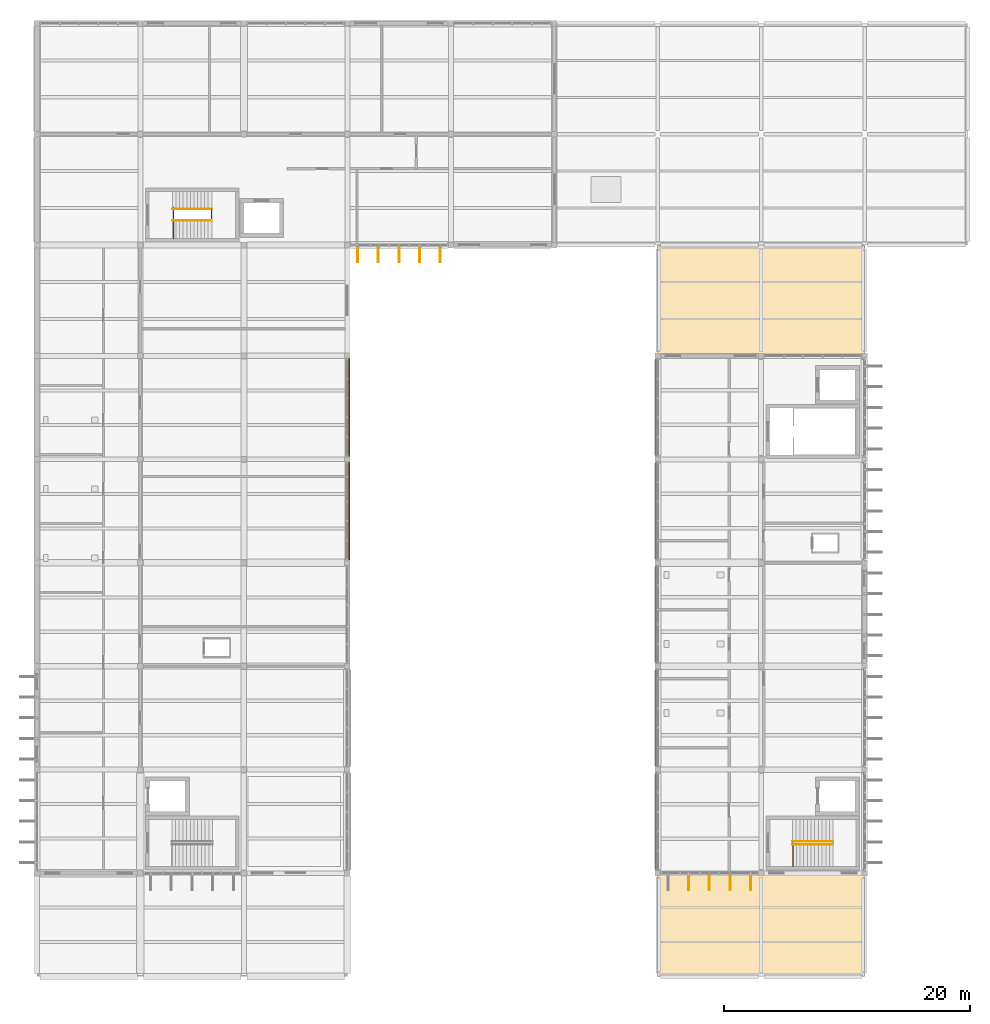
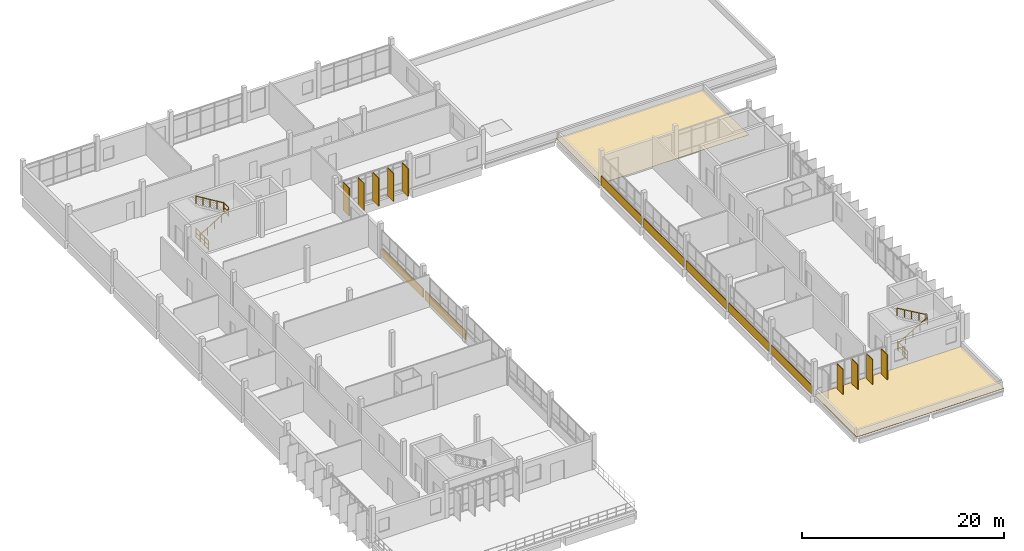
# One storey, part 59 of 62: 9 coverings, 9 shading devices, 7 railings.
"""IFC4 building model written with IfcOpenShell, lengths in metres."""

import ifcopenshell
import ifcopenshell.guid

model = None  # the IFC model being written
_history = None  # IfcOwnerHistory: only IFC2X3 demands one
_inside = {}  # id of a spatial element -> (the spatial element, [elements in it])
_under = {}  # id of a project, library or spatial element -> (it, [spatial elements below it])
_declared = {}  # id of a project -> (the project, [libraries it declares])
_typed = {}  # id of a type object -> (the type object, [elements of that type])
_made_of = {}  # id of a material, layer set ... -> (it, [elements and type objects made of it])


def new_model(schema):
    """Start an empty IFC model of exactly this schema.

    Asked for "IFC4X3", IfcOpenShell would pick the latest addendum, in which some entities
    have other attributes; the version numbers below select the first issue.
    IFC2X3 requires an IfcOwnerHistory on every rooted entity: one is made here for all.
    """
    global model, _history
    if schema == "IFC4X3":
        model = ifcopenshell.file(schema_version=(4, 3, 0, 0))
    else:
        model = ifcopenshell.file(schema=schema)
    _inside.clear()
    _under.clear()
    _declared.clear()
    _typed.clear()
    _made_of.clear()
    _history = None
    if model.schema == "IFC2X3":
        org = make("IfcOrganization", Name="unknown")
        user = make(
            "IfcPersonAndOrganization",
            ThePerson=make("IfcPerson", FamilyName="unknown"),
            TheOrganization=org,
        )
        app = make(
            "IfcApplication",
            ApplicationDeveloper=org,
            Version="unknown",
            ApplicationFullName="unknown",
            ApplicationIdentifier="unknown",
        )
        _history = make(
            "IfcOwnerHistory",
            OwningUser=user,
            OwningApplication=app,
            ChangeAction="ADDED",
            CreationDate=0,
        )
    return model


def make(cls, **values):
    """One entity of the class cls with the attributes given. An attribute that is None is left unset."""
    return model.create_entity(
        cls, **{name: value for name, value in values.items() if value is not None}
    )


def rooted(cls, **values):
    """An entity with a GlobalId (a new one), such as an element, a storey or a relation."""
    return make(cls, GlobalId=ifcopenshell.guid.new(), OwnerHistory=_history, **values)


def si_unit(unit_type, name, prefix=None):
    """IfcSIUnit, for example si_unit("LENGTHUNIT", "METRE", prefix="MILLI")."""
    return make("IfcSIUnit", UnitType=unit_type, Prefix=prefix, Name=name)


def assignment(units):
    """IfcUnitAssignment: the units of a project."""
    return None if units is None else make("IfcUnitAssignment", Units=units)


def point(xyz):
    """IfcCartesianPoint."""
    return None if xyz is None else make("IfcCartesianPoint", Coordinates=xyz)


def direction(xyz):
    """IfcDirection."""
    return None if xyz is None else make("IfcDirection", DirectionRatios=xyz)


def frame(location, z_axis=None, x_axis=None):
    """IfcAxis2Placement3D, a coordinate frame: its origin and axes. An axis left out is left unset."""
    return make(
        "IfcAxis2Placement3D",
        Location=point(location),
        Axis=direction(z_axis),
        RefDirection=direction(x_axis),
    )


def frame_2d(location, x_axis=None):
    """IfcAxis2Placement2D, a coordinate frame in the plane: its origin and x axis."""
    return make(
        "IfcAxis2Placement2D", Location=point(location), RefDirection=direction(x_axis)
    )


def origin():
    """The frame at (0, 0, 0) with its axes left unset."""
    return frame((0.0, 0.0, 0.0))


def origin_2d():
    """The frame at (0, 0) in the plane with its x axis left unset."""
    return frame_2d((0.0, 0.0))


def place(relative_to, where):
    """IfcLocalPlacement: puts the frame where relative to a parent placement (None: the world)."""
    return make(
        "IfcLocalPlacement", PlacementRelTo=relative_to, RelativePlacement=where
    )


def context(
    kind, dimensions, precision=None, world=None, true_north=None, identifier=None
):
    """IfcGeometricRepresentationContext, for example the 3D "Model" context."""
    return make(
        "IfcGeometricRepresentationContext",
        ContextIdentifier=identifier,
        ContextType=kind,
        CoordinateSpaceDimension=dimensions,
        Precision=precision,
        WorldCoordinateSystem=world,
        TrueNorth=true_north,
    )


def subcontext(parent, identifier, kind, view, scale=None):
    """IfcGeometricRepresentationSubContext, for example "Body" below "Model"."""
    return make(
        "IfcGeometricRepresentationSubContext",
        ContextIdentifier=identifier,
        ContextType=kind,
        ParentContext=parent,
        TargetScale=scale,
        TargetView=view,
    )


def project(units=None, contexts=None):
    """IfcProject with its units and contexts."""
    return rooted(
        "IfcProject",
        Name="project",
        RepresentationContexts=contexts,
        UnitsInContext=assignment(units),
    )


def spatial(cls, under=None, at=None, **own):
    """A site, building, storey or space (cls), placed at a placement, below another one or the project."""
    s = rooted(cls, ObjectPlacement=at, **own)
    if under is not None:
        _under.setdefault(under.id(), (under, []))[1].append(s)
    return s


def polyline(points):
    """IfcPolyline through the points."""
    return make("IfcPolyline", Points=[point(p) for p in points])


def profile(cls, at=None, kind="AREA", **sizes):
    """A parametric profile (cls). Its sizes go by their IFC names, for example OverallWidth=200.0."""
    return make(cls, ProfileType=kind, Position=at, **sizes)


def rectangle(**sizes):
    """IfcRectangleProfileDef."""
    return profile("IfcRectangleProfileDef", **sizes)


def circle(**sizes):
    """IfcCircleProfileDef."""
    return profile("IfcCircleProfileDef", **sizes)


def outline(outer, holes=None, kind="AREA"):
    """IfcArbitraryClosedProfileDef: a profile drawn as a closed curve; with holes, ...WithVoids."""
    if holes is None:
        return make("IfcArbitraryClosedProfileDef", ProfileType=kind, OuterCurve=outer)
    return make(
        "IfcArbitraryProfileDefWithVoids",
        ProfileType=kind,
        OuterCurve=outer,
        InnerCurves=holes,
    )


def extrude(swept, where, along, depth):
    """IfcExtrudedAreaSolid: the profile swept, set in the frame where, extruded along a direction by depth."""
    return make(
        "IfcExtrudedAreaSolid",
        SweptArea=swept,
        Position=where,
        ExtrudedDirection=direction(along),
        Depth=depth,
    )


def shape(context_of_items, identifier, shape_type, items):
    """IfcShapeRepresentation: the items that make up one representation, for example the "Body"."""
    return make(
        "IfcShapeRepresentation",
        ContextOfItems=context_of_items,
        RepresentationIdentifier=identifier,
        RepresentationType=shape_type,
        Items=items,
    )


def material(Name=None, Category=None):
    """IfcMaterial."""
    return make("IfcMaterial", Name=Name, Category=Category)


def layer(
    of_material, thickness, ventilated=None, Name=None, Category=None, Priority=None
):
    """IfcMaterialLayer: one layer of a wall or slab, of a material (None: an air gap)."""
    return make(
        "IfcMaterialLayer",
        Material=of_material,
        LayerThickness=thickness,
        IsVentilated=ventilated,
        Name=Name,
        Category=Category,
        Priority=Priority,
    )


def layer_set(layers, Name=None):
    """IfcMaterialLayerSet."""
    return make("IfcMaterialLayerSet", MaterialLayers=layers, LayerSetName=Name)


def material_profile(
    of_material, cross_section, Name=None, Category=None, Priority=None
):
    """IfcMaterialProfile: a cross section and its material."""
    return make(
        "IfcMaterialProfile",
        Name=Name,
        Material=of_material,
        Profile=cross_section,
        Priority=Priority,
        Category=Category,
    )


def profile_set(profiles, Name=None, composite=None):
    """IfcMaterialProfileSet."""
    return make(
        "IfcMaterialProfileSet",
        Name=Name,
        MaterialProfiles=profiles,
        CompositeProfile=composite,
    )


def made_of(thing, what):
    """Note that an element or type object is made of a material, layer set ...; save() writes the relation."""
    if what is not None:
        _made_of.setdefault(what.id(), (what, []))[1].append(thing)
    return thing


def type_object(cls, material=None, **own):
    """A type object (cls), such as IfcWallType, which elements share."""
    return made_of(rooted(cls, **own), material)


def element(
    cls,
    number,
    at=None,
    inside=None,
    cuts=None,
    type_object=None,
    material=None,
    context=None,
    identifier="Body",
    shape_type=None,
    held_by="IfcProductDefinitionShape",
    body=None,
    shapes=None,
    **own,
):
    """One element of the class cls, such as IfcWall. Its Tag is "e" and its number.

    at: its placement. inside: the storey or other place that contains it. cuts: it is an
    opening in that element (IfcRelVoidsElement). A single representation is given by context,
    identifier, shape_type and body (its items); several are given by shapes. held_by: the class
    of the entity that holds the representations. save() writes the other relations.
    """
    e = rooted(cls, Tag="e%d" % number, ObjectPlacement=at, **own)
    if body is not None:
        shapes = [shape(context, identifier, shape_type, body)]
    if shapes is not None:
        e.Representation = make(held_by, Representations=shapes)
    if inside is not None:
        _inside.setdefault(inside.id(), (inside, []))[1].append(e)
    if cuts is not None:
        rooted(
            "IfcRelVoidsElement", RelatingBuildingElement=cuts, RelatedOpeningElement=e
        )
    if type_object is not None:
        _typed.setdefault(type_object.id(), (type_object, []))[1].append(e)
    return made_of(e, material)


def aggregate(whole, parts):
    """IfcRelAggregates: a whole, such as a stair, and the parts it consists of."""
    return rooted("IfcRelAggregates", RelatingObject=whole, RelatedObjects=parts)


def save(model, path):
    """Write the relations noted so far, then the file.

    IfcRelAggregates (storeys below a building ...), IfcRelContainedInSpatialStructure (elements
    in a storey), IfcRelDefinesByType, IfcRelAssociatesMaterial and IfcRelDeclares: one each for
    every whole, place, type object, material and project.
    """
    for whole, parts in _under.values():
        aggregate(whole, parts)
    for where, things in _inside.values():
        rooted(
            "IfcRelContainedInSpatialStructure",
            RelatedElements=things,
            RelatingStructure=where,
        )
    for kind, things in _typed.values():
        rooted("IfcRelDefinesByType", RelatedObjects=things, RelatingType=kind)
    for what, things in _made_of.values():
        rooted("IfcRelAssociatesMaterial", RelatedObjects=things, RelatingMaterial=what)
    for by, libraries in _declared.values():
        rooted("IfcRelDeclares", RelatingContext=by, RelatedDefinitions=libraries)
    model.write(path)


model = new_model("IFC4")

# Units and contexts
model_context = context("Model", 3, precision=1e-05, world=origin(), true_north=direction((0.0, 1.0)))
body_context = subcontext(model_context, "Body", "Model", "MODEL_VIEW")
ifc_project = project(units=[si_unit("LENGTHUNIT", "METRE"), si_unit("AREAUNIT", "SQUARE_METRE"), si_unit("VOLUMEUNIT", "CUBIC_METRE"), si_unit("PLANEANGLEUNIT", "RADIAN"), si_unit("MASSUNIT", "GRAM", prefix="KILO")], contexts=[model_context])

# Site, building, storey
site_placement = place(None, origin())
site = spatial("IfcSite", under=ifc_project, at=site_placement, CompositionType="ELEMENT")
building_placement = place(site_placement, origin())
building = spatial("IfcBuilding", under=site, at=building_placement, Name="Vireocrest Preparatory School", CompositionType="ELEMENT")
storey_placement = place(building_placement, frame((0.0, 0.0, 17.39990234375)))
storey = spatial("IfcBuildingStorey", under=building, at=storey_placement, Name="L04", CompositionType="ELEMENT", Elevation=17.39990234375)

# Railings
ifc_material_1 = material(Name="Brushed stainless steel AISI 316", Category="steel")
railing_type_1 = type_object("IfcRailingType", Name="Post-and-Rail Guard Balustrade 1120", PredefinedType="BALUSTRADE", material=ifc_material_1)
railing_1_placement = place(storey_placement, frame((103.3701171875, 44.35009765625, 0.0)))
element("IfcRailing", 1, at=railing_1_placement, inside=storey, type_object=railing_type_1, Name="Arrival Landing Guard ST2-L03", PredefinedType="BALUSTRADE", context=body_context, shape_type="SweptSolid", body=[
    extrude(circle(Radius=0.02392578125, at=origin_2d()), frame((0.0, 0.0, 1.09619140625), z_axis=(0.0, 1.0, 0.0), x_axis=(-1.0, 0.0, 0.0)), (0.0, 0.0, 1.0), 2.02001953125),
    extrude(circle(Radius=0.01806640625, at=origin_2d()), frame((0.0, 0.0, 0.56005859375), z_axis=(0.0, 1.0, 0.0), x_axis=(-1.0, 0.0, 0.0)), (0.0, 0.0, 1.0), 2.02001953125),
    extrude(circle(Radius=0.01806640625, at=origin_2d()), frame((0.0, 0.0, 0.10009765625), z_axis=(0.0, 1.0, 0.0), x_axis=(-1.0, 0.0, 0.0)), (0.0, 0.0, 1.0), 2.02001953125),
    extrude(circle(Radius=0.02099609375, at=origin_2d()), origin(), (0.0, 0.0, 1.0), 1.072021484375),
    extrude(circle(Radius=0.02099609375, at=origin_2d()), frame((0.0, 1.010009765625, 0.0)), (0.0, 0.0, 1.0), 1.072021484375),
    extrude(circle(Radius=0.02099609375, at=origin_2d()), frame((0.0, 2.02001953125, 0.0)), (0.0, 0.0, 1.0), 1.072021484375),
])
railing_2_placement = place(storey_placement, frame((53.080078125, 95.35009765625, 0.0)))
element("IfcRailing", 2, at=railing_2_placement, inside=storey, type_object=railing_type_1, Name="Arrival Landing Guard ST3-L03", PredefinedType="BALUSTRADE", context=body_context, shape_type="SweptSolid", body=[
    extrude(circle(Radius=0.02392578125, at=origin_2d()), frame((0.0, 0.0, 1.09619140625), z_axis=(0.0, 1.0, 0.0), x_axis=(-1.0, 0.0, 0.0)), (0.0, 0.0, 1.0), 2.52001953125),
    extrude(circle(Radius=0.01806640625, at=origin_2d()), frame((0.0, 0.0, 0.56005859375), z_axis=(0.0, 1.0, 0.0), x_axis=(-1.0, 0.0, 0.0)), (0.0, 0.0, 1.0), 2.52001953125),
    extrude(circle(Radius=0.01806640625, at=origin_2d()), frame((0.0, 0.0, 0.10009765625), z_axis=(0.0, 1.0, 0.0), x_axis=(-1.0, 0.0, 0.0)), (0.0, 0.0, 1.0), 2.52001953125),
    extrude(circle(Radius=0.02099609375, at=origin_2d()), origin(), (0.0, 0.0, 1.0), 1.072021484375),
    extrude(circle(Radius=0.02099609375, at=origin_2d()), frame((0.0, 0.840087890625, 0.0)), (0.0, 0.0, 1.0), 1.072021484375),
    extrude(circle(Radius=0.02099609375, at=origin_2d()), frame((0.0, 1.679931640625, 0.0)), (0.0, 0.0, 1.0), 1.072021484375),
    extrude(circle(Radius=0.02099609375, at=origin_2d()), frame((0.0, 2.52001953125, 0.0)), (0.0, 0.0, 1.0), 1.072021484375),
])
railing_3_placement = place(storey_placement, frame((56.175048828125, 96.780029296875, 2.10009765625)))
element("IfcRailing", 3, at=railing_3_placement, inside=storey, type_object=railing_type_1, Name="Half-Landing Well Guard ST3-L04", PredefinedType="BALUSTRADE", context=body_context, shape_type="SweptSolid", body=[
    extrude(circle(Radius=0.02392578125, at=origin_2d()), frame((0.0, 0.0, 1.09619140625), z_axis=(0.0, 1.0, 0.0), x_axis=(-1.0, 0.0, 0.0)), (0.0, 0.0, 1.0), 0.93994140625),
    extrude(circle(Radius=0.01806640625, at=origin_2d()), frame((0.0, 0.0, 0.56005859375), z_axis=(0.0, 1.0, 0.0), x_axis=(-1.0, 0.0, 0.0)), (0.0, 0.0, 1.0), 0.93994140625),
    extrude(circle(Radius=0.01806640625, at=origin_2d()), frame((0.0, 0.0, 0.10009765625), z_axis=(0.0, 1.0, 0.0), x_axis=(-1.0, 0.0, 0.0)), (0.0, 0.0, 1.0), 0.93994140625),
    extrude(circle(Radius=0.02099609375, at=origin_2d()), origin(), (0.0, 0.0, 1.0), 1.072021484375),
    extrude(circle(Radius=0.02099609375, at=origin_2d()), frame((0.0, 0.93994140625, 0.0)), (0.0, 0.0, 1.0), 1.072021484375),
])
railing_type_2 = type_object("IfcRailingType", Name="Stair Pitch Handrail 900", PredefinedType="HANDRAIL", material=ifc_material_1)
railing_4_placement = place(storey_placement, frame((103.35009765625, 46.1298828125, 0.175048828125)))
element("IfcRailing", 4, at=railing_4_placement, inside=storey, type_object=railing_type_2, Name="Stair Handrail ST2-L04-HR1", PredefinedType="HANDRAIL", context=body_context, shape_type="SweptSolid", body=[
    extrude(circle(Radius=0.02392578125, at=origin_2d()), frame((0.0, 0.0, 0.8759765625), z_axis=(0.863760357493, 0.0, 0.503902812876), x_axis=(0.0, 1.0, 0.0)), (0.0, 0.0, 1.0), 3.8203125),
    extrude(circle(Radius=0.02099609375, at=origin_2d()), origin(), (0.0, 0.0, 1.0), 0.851806640625),
    extrude(circle(Radius=0.02099609375, at=origin_2d()), frame((0.824951171875, 0.0, 0.481201171875)), (0.0, 0.0, 1.0), 0.851806640625),
    extrude(circle(Radius=0.02099609375, at=origin_2d()), frame((1.64990234375, 0.0, 0.96240234375)), (0.0, 0.0, 1.0), 0.851806640625),
    extrude(circle(Radius=0.02099609375, at=origin_2d()), frame((2.474853515625, 0.0, 1.44384765625)), (0.0, 0.0, 1.0), 0.851806640625),
    extrude(circle(Radius=0.02099609375, at=origin_2d()), frame((3.2998046875, 0.0, 1.925048828125)), (0.0, 0.0, 1.0), 0.851806640625),
])
railing_5_placement = place(storey_placement, frame((106.64990234375, 46.3701171875, 2.275146484375)))
element("IfcRailing", 5, at=railing_5_placement, inside=storey, type_object=railing_type_2, Name="Stair Handrail ST2-L04-HR2", PredefinedType="HANDRAIL", context=body_context, shape_type="SweptSolid", body=[
    extrude(circle(Radius=0.02392578125, at=origin_2d()), frame((0.0, 0.0, 0.8759765625), z_axis=(-0.863760357493, 0.0, 0.503902812876), x_axis=(0.0, -1.0, 0.0)), (0.0, 0.0, 1.0), 3.8203125),
    extrude(circle(Radius=0.02099609375, at=origin_2d()), origin(), (0.0, 0.0, 1.0), 0.851806640625),
    extrude(circle(Radius=0.02099609375, at=origin_2d()), frame((-0.824951171875, 0.0, 0.481201171875)), (0.0, 0.0, 1.0), 0.851806640625),
    extrude(circle(Radius=0.02099609375, at=origin_2d()), frame((-1.64990234375, 0.0, 0.96240234375)), (0.0, 0.0, 1.0), 0.851806640625),
    extrude(circle(Radius=0.02099609375, at=origin_2d()), frame((-2.474853515625, 0.0, 1.44384765625)), (0.0, 0.0, 1.0), 0.851806640625),
    extrude(circle(Radius=0.02099609375, at=origin_2d()), frame((-3.2998046875, 0.0, 1.925048828125)), (0.0, 0.0, 1.0), 0.851806640625),
])
railing_6_placement = place(storey_placement, frame((53.0048828125, 96.780029296875, 0.175048828125)))
element("IfcRailing", 6, at=railing_6_placement, inside=storey, type_object=railing_type_2, Name="Stair Handrail ST3-L04-HR1", PredefinedType="HANDRAIL", context=body_context, shape_type="SweptSolid", body=[
    extrude(circle(Radius=0.02392578125, at=origin_2d()), frame((0.0, 0.0, 0.8759765625), z_axis=(0.856195157123, 0.0, 0.516652545643), x_axis=(0.0, 1.0, 0.0)), (0.0, 0.0, 1.0), 3.72607421875),
    extrude(circle(Radius=0.02099609375, at=origin_2d()), origin(), (0.0, 0.0, 1.0), 0.851806640625),
    extrude(circle(Radius=0.02099609375, at=origin_2d()), frame((0.797607421875, 0.0, 0.481201171875)), (0.0, 0.0, 1.0), 0.851806640625),
    extrude(circle(Radius=0.02099609375, at=origin_2d()), frame((1.59521484375, 0.0, 0.96240234375)), (0.0, 0.0, 1.0), 0.851806640625),
    extrude(circle(Radius=0.02099609375, at=origin_2d()), frame((2.392578125, 0.0, 1.44384765625)), (0.0, 0.0, 1.0), 0.851806640625),
    extrude(circle(Radius=0.02099609375, at=origin_2d()), frame((3.190185546875, 0.0, 1.925048828125)), (0.0, 0.0, 1.0), 0.851806640625),
])
railing_7_placement = place(storey_placement, frame((56.195068359375, 97.719970703125, 2.275146484375)))
element("IfcRailing", 7, at=railing_7_placement, inside=storey, type_object=railing_type_2, Name="Stair Handrail ST3-L04-HR2", PredefinedType="HANDRAIL", context=body_context, shape_type="SweptSolid", body=[
    extrude(circle(Radius=0.02392578125, at=origin_2d()), frame((0.0, 0.0, 0.8759765625), z_axis=(-0.856195157123, 0.0, 0.516652545643), x_axis=(0.0, -1.0, 0.0)), (0.0, 0.0, 1.0), 3.72607421875),
    extrude(circle(Radius=0.02099609375, at=origin_2d()), origin(), (0.0, 0.0, 1.0), 0.851806640625),
    extrude(circle(Radius=0.02099609375, at=origin_2d()), frame((-0.797607421875, 0.0, 0.481201171875)), (0.0, 0.0, 1.0), 0.851806640625),
    extrude(circle(Radius=0.02099609375, at=origin_2d()), frame((-1.59521484375, 0.0, 0.96240234375)), (0.0, 0.0, 1.0), 0.851806640625),
    extrude(circle(Radius=0.02099609375, at=origin_2d()), frame((-2.392578125, 0.0, 1.44384765625)), (0.0, 0.0, 1.0), 0.851806640625),
    extrude(circle(Radius=0.02099609375, at=origin_2d()), frame((-3.190185546875, 0.0, 1.925048828125)), (0.0, 0.0, 1.0), 0.851806640625),
])

# Coverings
ifc_material_2 = material(Name="TPO single-ply insulated roofing membrane")
ifc_layer_1 = layer(ifc_material_2, 0.030029296875)
ifc_layer_set_1 = layer_set([ifc_layer_1], Name="TPO single-ply insulated roofing membrane")
covering_type_1 = type_object("IfcCoveringType", Name="TPO Insulated Single-Ply Roof Membrane", PredefinedType="ROOFING", material=ifc_layer_set_1)
covering_1_placement = place(storey_placement, origin())
element("IfcCovering", 8, at=covering_1_placement, inside=storey, type_object=covering_type_1, Name="Roof Membrane L04_EAST_SETBACK_ROOF", PredefinedType="ROOFING", context=body_context, shape_type="SweptSolid", body=[
    extrude(outline(polyline([(92.39990234375, 35.39990234375), (109.199951171875, 35.39990234375), (109.199951171875, 43.800048828125), (92.39990234375, 43.800048828125), (92.39990234375, 35.39990234375)])), origin(), (0.0, 0.0, 1.0), 0.030029296875),
])
covering_2_placement = place(storey_placement, origin())
element("IfcCovering", 9, at=covering_2_placement, inside=storey, type_object=covering_type_1, Name="Roof Membrane L04_EAST_NORTH_ROOF", PredefinedType="ROOFING", context=body_context, shape_type="SweptSolid", body=[
    extrude(outline(polyline([(92.39990234375, 85.800048828125), (109.199951171875, 85.800048828125), (109.199951171875, 94.800048828125), (92.39990234375, 94.800048828125), (92.39990234375, 85.800048828125)])), origin(), (0.0, 0.0, 1.0), 0.030029296875),
])

# Shading devices
ifc_material_3 = material(Name="Warm anodised aluminium EN AW-6063-T6", Category="aluminium")
ifc_material_profile = material_profile(ifc_material_3, rectangle(XDim=0.080078125, YDim=1.199951171875, at=origin_2d()), Name="FIN 80x1200")
ifc_profile_set = profile_set([ifc_material_profile], Name="Warm anodised aluminium EN AW-6063-T6")
shading_device_type = type_object("IfcShadingDeviceType", Name="Vertical Anodised Aluminium Solar Fin 1200", PredefinedType="USERDEFINED", material=ifc_profile_set)
for number, where, z_axis, x_axis, name in (
    (10, (68.0400390625, 94.02001953125, 0.02001953125), (0.0, 0.0, 1.0), (-1.0, 0.0, 0.0), "Vertical Solar Fin FN1 L04-52-1"),
    (11, (69.719970703125, 94.02001953125, 0.02001953125), (0.0, 0.0, 1.0), (-1.0, 0.0, 0.0), "Vertical Solar Fin FN1 L04-52-2"),
    (12, (71.39990234375, 94.02001953125, 0.02001953125), (0.0, 0.0, 1.0), (-1.0, 0.0, 0.0), "Vertical Solar Fin FN1 L04-52-3"),
    (13, (73.080078125, 94.02001953125, 0.02001953125), (0.0, 0.0, 1.0), (-1.0, 0.0, 0.0), "Vertical Solar Fin FN1 L04-52-4"),
    (14, (74.760009765625, 94.02001953125, 0.02001953125), (0.0, 0.0, 1.0), (-1.0, 0.0, 0.0), "Vertical Solar Fin FN1 L04-52-5"),
):
    element("IfcShadingDevice", number, at=place(storey_placement, frame(where, z_axis=z_axis, x_axis=x_axis)), inside=storey, type_object=shading_device_type, Name=name, ObjectType="FIN", PredefinedType="USERDEFINED", context=body_context, shape_type="SweptSolid", body=[
        extrude(rectangle(XDim=0.080078125, YDim=1.199951171875, at=origin_2d()), origin(), (0.0, 0.0, 1.0), 3.3701171875),
    ])
for number, where, z_axis, x_axis, name in (
    (15, (94.919921875, 43.02001953125, 0.02001953125), (0.0, 0.0, 1.0), (-1.0, 0.0, 0.0), "Vertical Solar Fin FN1 L04-56-2"),
    (16, (96.60009765625, 43.02001953125, 0.02001953125), (0.0, 0.0, 1.0), (-1.0, 0.0, 0.0), "Vertical Solar Fin FN1 L04-56-3"),
    (17, (98.280029296875, 43.02001953125, 0.02001953125), (0.0, 0.0, 1.0), (-1.0, 0.0, 0.0), "Vertical Solar Fin FN1 L04-56-4"),
    (18, (99.9599609375, 43.02001953125, 0.02001953125), (0.0, 0.0, 1.0), (-1.0, 0.0, 0.0), "Vertical Solar Fin FN1 L04-56-5"),
):
    element("IfcShadingDevice", number, at=place(storey_placement, frame(where, z_axis=z_axis, x_axis=x_axis)), inside=storey, type_object=shading_device_type, Name=name, ObjectType="FIN", PredefinedType="USERDEFINED", context=body_context, shape_type="SweptSolid", body=[
        extrude(rectangle(XDim=0.080078125, YDim=1.199951171875, at=origin_2d()), origin(), (0.0, 0.0, 1.0), 3.02001953125),
    ])

# Coverings
ifc_material_4 = material(Name="Painted white aluminium cladding EN AW-6063-T6", Category="aluminium")
ifc_layer_2 = layer(ifc_material_4, 0.044921875)
ifc_layer_set_2 = layer_set([ifc_layer_2], Name="Painted white aluminium cladding EN AW-6063-T6")
covering_type_2 = type_object("IfcCoveringType", Name="White High-Tech Horizontal Spandrel Cladding Band", PredefinedType="CLADDING", material=ifc_layer_set_2)
for number, where, z_axis, x_axis, name in (
    (19, (67.3349609375, 73.199951171875, 0.030029296875), (0.0, 0.0, 1.0), (1.0, 0.0, 0.0), "White Court Spandrel Band L04-0379"),
    (20, (67.3349609375, 81.60009765625, 0.030029296875), (0.0, 0.0, 1.0), (1.0, 0.0, 0.0), "White Court Spandrel Band L04-0380"),
    (21, (92.264892578125, 48.0, 0.030029296875), (0.0, 0.0, 1.0), (1.0, 0.0, 0.0), "White Court Spandrel Band L04-0381"),
    (22, (92.264892578125, 56.39990234375, 0.030029296875), (0.0, 0.0, 1.0), (1.0, 0.0, 0.0), "White Court Spandrel Band L04-0382"),
    (23, (92.264892578125, 64.800048828125, 0.030029296875), (0.0, 0.0, 1.0), (1.0, 0.0, 0.0), "White Court Spandrel Band L04-0383"),
    (24, (92.264892578125, 73.199951171875, 0.030029296875), (0.0, 0.0, 1.0), (1.0, 0.0, 0.0), "White Court Spandrel Band L04-0384"),
    (25, (92.264892578125, 81.60009765625, 0.030029296875), (0.0, 0.0, 1.0), (1.0, 0.0, 0.0), "White Court Spandrel Band L04-0385"),
):
    element("IfcCovering", number, at=place(storey_placement, frame(where, z_axis=z_axis, x_axis=x_axis)), inside=storey, type_object=covering_type_2, Name=name, PredefinedType="CLADDING", context=body_context, shape_type="SweptSolid", body=[
        extrude(rectangle(XDim=0.0849609375, YDim=8.0, at=origin_2d()), origin(), (0.0, 0.0, 1.0), 1.10009765625),
    ])

save(model, "model.ifc")
